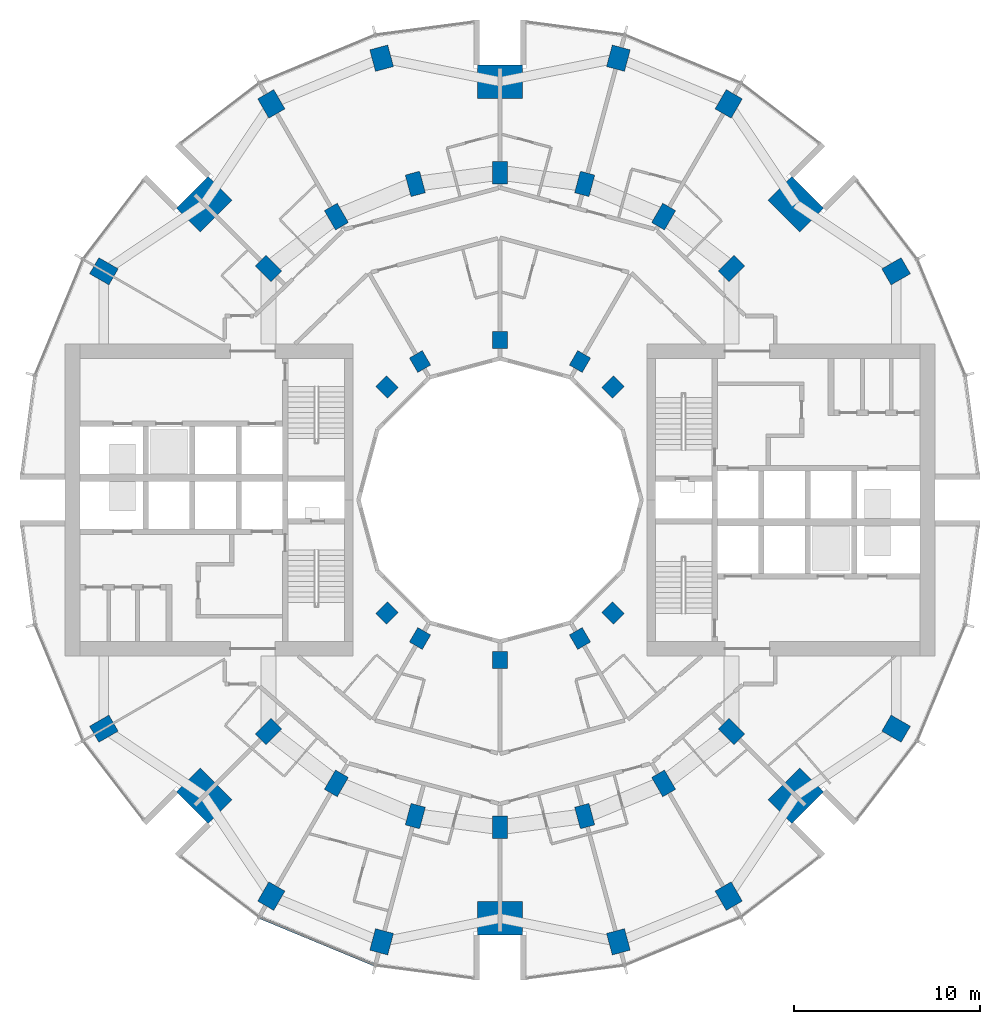
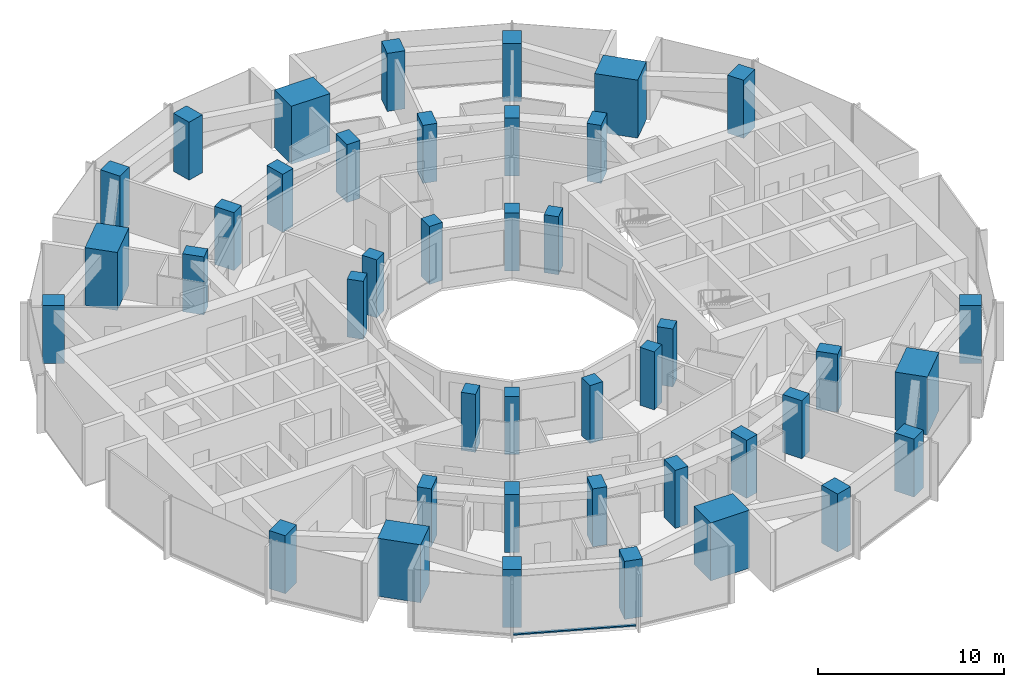
# One storey, part 1 of 15: 42 columns, 1 member, 1 element without a shape of its own.
"""IFC4 building model written with IfcOpenShell, lengths in metres."""

import ifcopenshell
import ifcopenshell.guid

model = None  # the IFC model being written
_history = None  # IfcOwnerHistory: only IFC2X3 demands one
_inside = {}  # id of a spatial element -> (the spatial element, [elements in it])
_under = {}  # id of a project, library or spatial element -> (it, [spatial elements below it])
_declared = {}  # id of a project -> (the project, [libraries it declares])
_typed = {}  # id of a type object -> (the type object, [elements of that type])
_made_of = {}  # id of a material, layer set ... -> (it, [elements and type objects made of it])


def new_model(schema):
    """Start an empty IFC model of exactly this schema.

    Asked for "IFC4X3", IfcOpenShell would pick the latest addendum, in which some entities
    have other attributes; the version numbers below select the first issue.
    IFC2X3 requires an IfcOwnerHistory on every rooted entity: one is made here for all.
    """
    global model, _history
    if schema == "IFC4X3":
        model = ifcopenshell.file(schema_version=(4, 3, 0, 0))
    else:
        model = ifcopenshell.file(schema=schema)
    _inside.clear()
    _under.clear()
    _declared.clear()
    _typed.clear()
    _made_of.clear()
    _history = None
    if model.schema == "IFC2X3":
        org = make("IfcOrganization", Name="unknown")
        user = make(
            "IfcPersonAndOrganization",
            ThePerson=make("IfcPerson", FamilyName="unknown"),
            TheOrganization=org,
        )
        app = make(
            "IfcApplication",
            ApplicationDeveloper=org,
            Version="unknown",
            ApplicationFullName="unknown",
            ApplicationIdentifier="unknown",
        )
        _history = make(
            "IfcOwnerHistory",
            OwningUser=user,
            OwningApplication=app,
            ChangeAction="ADDED",
            CreationDate=0,
        )
    return model


def make(cls, **values):
    """One entity of the class cls with the attributes given. An attribute that is None is left unset."""
    return model.create_entity(
        cls, **{name: value for name, value in values.items() if value is not None}
    )


def rooted(cls, **values):
    """An entity with a GlobalId (a new one), such as an element, a storey or a relation."""
    return make(cls, GlobalId=ifcopenshell.guid.new(), OwnerHistory=_history, **values)


def si_unit(unit_type, name, prefix=None):
    """IfcSIUnit, for example si_unit("LENGTHUNIT", "METRE", prefix="MILLI")."""
    return make("IfcSIUnit", UnitType=unit_type, Prefix=prefix, Name=name)


def assignment(units):
    """IfcUnitAssignment: the units of a project."""
    return None if units is None else make("IfcUnitAssignment", Units=units)


def point(xyz):
    """IfcCartesianPoint."""
    return None if xyz is None else make("IfcCartesianPoint", Coordinates=xyz)


def direction(xyz):
    """IfcDirection."""
    return None if xyz is None else make("IfcDirection", DirectionRatios=xyz)


def frame(location, z_axis=None, x_axis=None):
    """IfcAxis2Placement3D, a coordinate frame: its origin and axes. An axis left out is left unset."""
    return make(
        "IfcAxis2Placement3D",
        Location=point(location),
        Axis=direction(z_axis),
        RefDirection=direction(x_axis),
    )


def frame_2d(location, x_axis=None):
    """IfcAxis2Placement2D, a coordinate frame in the plane: its origin and x axis."""
    return make(
        "IfcAxis2Placement2D", Location=point(location), RefDirection=direction(x_axis)
    )


def origin():
    """The frame at (0, 0, 0) with its axes left unset."""
    return frame((0.0, 0.0, 0.0))


def origin_2d():
    """The frame at (0, 0) in the plane with its x axis left unset."""
    return frame_2d((0.0, 0.0))


def place(relative_to, where):
    """IfcLocalPlacement: puts the frame where relative to a parent placement (None: the world)."""
    return make(
        "IfcLocalPlacement", PlacementRelTo=relative_to, RelativePlacement=where
    )


def context(
    kind, dimensions, precision=None, world=None, true_north=None, identifier=None
):
    """IfcGeometricRepresentationContext, for example the 3D "Model" context."""
    return make(
        "IfcGeometricRepresentationContext",
        ContextIdentifier=identifier,
        ContextType=kind,
        CoordinateSpaceDimension=dimensions,
        Precision=precision,
        WorldCoordinateSystem=world,
        TrueNorth=true_north,
    )


def subcontext(parent, identifier, kind, view, scale=None):
    """IfcGeometricRepresentationSubContext, for example "Body" below "Model"."""
    return make(
        "IfcGeometricRepresentationSubContext",
        ContextIdentifier=identifier,
        ContextType=kind,
        ParentContext=parent,
        TargetScale=scale,
        TargetView=view,
    )


def project(units=None, contexts=None):
    """IfcProject with its units and contexts."""
    return rooted(
        "IfcProject",
        Name="project",
        RepresentationContexts=contexts,
        UnitsInContext=assignment(units),
    )


def spatial(cls, under=None, at=None, **own):
    """A site, building, storey or space (cls), placed at a placement, below another one or the project."""
    s = rooted(cls, ObjectPlacement=at, **own)
    if under is not None:
        _under.setdefault(under.id(), (under, []))[1].append(s)
    return s


def profile(cls, at=None, kind="AREA", **sizes):
    """A parametric profile (cls). Its sizes go by their IFC names, for example OverallWidth=200.0."""
    return make(cls, ProfileType=kind, Position=at, **sizes)


def rectangle(**sizes):
    """IfcRectangleProfileDef."""
    return profile("IfcRectangleProfileDef", **sizes)


def extrude(swept, where, along, depth):
    """IfcExtrudedAreaSolid: the profile swept, set in the frame where, extruded along a direction by depth."""
    return make(
        "IfcExtrudedAreaSolid",
        SweptArea=swept,
        Position=where,
        ExtrudedDirection=direction(along),
        Depth=depth,
    )


def shape(context_of_items, identifier, shape_type, items):
    """IfcShapeRepresentation: the items that make up one representation, for example the "Body"."""
    return make(
        "IfcShapeRepresentation",
        ContextOfItems=context_of_items,
        RepresentationIdentifier=identifier,
        RepresentationType=shape_type,
        Items=items,
    )


def material(Name=None, Category=None):
    """IfcMaterial."""
    return make("IfcMaterial", Name=Name, Category=Category)


def layer(
    of_material, thickness, ventilated=None, Name=None, Category=None, Priority=None
):
    """IfcMaterialLayer: one layer of a wall or slab, of a material (None: an air gap)."""
    return make(
        "IfcMaterialLayer",
        Material=of_material,
        LayerThickness=thickness,
        IsVentilated=ventilated,
        Name=Name,
        Category=Category,
        Priority=Priority,
    )


def layer_set(layers, Name=None):
    """IfcMaterialLayerSet."""
    return make("IfcMaterialLayerSet", MaterialLayers=layers, LayerSetName=Name)


def material_profile(
    of_material, cross_section, Name=None, Category=None, Priority=None
):
    """IfcMaterialProfile: a cross section and its material."""
    return make(
        "IfcMaterialProfile",
        Name=Name,
        Material=of_material,
        Profile=cross_section,
        Priority=Priority,
        Category=Category,
    )


def profile_set(profiles, Name=None, composite=None):
    """IfcMaterialProfileSet."""
    return make(
        "IfcMaterialProfileSet",
        Name=Name,
        MaterialProfiles=profiles,
        CompositeProfile=composite,
    )


def made_of(thing, what):
    """Note that an element or type object is made of a material, layer set ...; save() writes the relation."""
    if what is not None:
        _made_of.setdefault(what.id(), (what, []))[1].append(thing)
    return thing


def type_object(cls, material=None, **own):
    """A type object (cls), such as IfcWallType, which elements share."""
    return made_of(rooted(cls, **own), material)


def element(
    cls,
    number,
    at=None,
    inside=None,
    cuts=None,
    type_object=None,
    material=None,
    context=None,
    identifier="Body",
    shape_type=None,
    held_by="IfcProductDefinitionShape",
    body=None,
    shapes=None,
    **own,
):
    """One element of the class cls, such as IfcWall. Its Tag is "e" and its number.

    at: its placement. inside: the storey or other place that contains it. cuts: it is an
    opening in that element (IfcRelVoidsElement). A single representation is given by context,
    identifier, shape_type and body (its items); several are given by shapes. held_by: the class
    of the entity that holds the representations. save() writes the other relations.
    """
    e = rooted(cls, Tag="e%d" % number, ObjectPlacement=at, **own)
    if body is not None:
        shapes = [shape(context, identifier, shape_type, body)]
    if shapes is not None:
        e.Representation = make(held_by, Representations=shapes)
    if inside is not None:
        _inside.setdefault(inside.id(), (inside, []))[1].append(e)
    if cuts is not None:
        rooted(
            "IfcRelVoidsElement", RelatingBuildingElement=cuts, RelatedOpeningElement=e
        )
    if type_object is not None:
        _typed.setdefault(type_object.id(), (type_object, []))[1].append(e)
    return made_of(e, material)


def aggregate(whole, parts):
    """IfcRelAggregates: a whole, such as a stair, and the parts it consists of."""
    return rooted("IfcRelAggregates", RelatingObject=whole, RelatedObjects=parts)


def save(model, path):
    """Write the relations noted so far, then the file.

    IfcRelAggregates (storeys below a building ...), IfcRelContainedInSpatialStructure (elements
    in a storey), IfcRelDefinesByType, IfcRelAssociatesMaterial and IfcRelDeclares: one each for
    every whole, place, type object, material and project.
    """
    for whole, parts in _under.values():
        aggregate(whole, parts)
    for where, things in _inside.values():
        rooted(
            "IfcRelContainedInSpatialStructure",
            RelatedElements=things,
            RelatingStructure=where,
        )
    for kind, things in _typed.values():
        rooted("IfcRelDefinesByType", RelatedObjects=things, RelatingType=kind)
    for what, things in _made_of.values():
        rooted("IfcRelAssociatesMaterial", RelatedObjects=things, RelatingMaterial=what)
    for by, libraries in _declared.values():
        rooted("IfcRelDeclares", RelatingContext=by, RelatedDefinitions=libraries)
    model.write(path)


model = new_model("IFC4")

# Units and contexts
model_context = context("Model", 3, precision=1e-05, world=origin(), true_north=direction((0.0, 1.0)))
body_context = subcontext(model_context, "Body", "Model", "MODEL_VIEW")
ifc_project = project(units=[si_unit("LENGTHUNIT", "METRE"), si_unit("AREAUNIT", "SQUARE_METRE"), si_unit("VOLUMEUNIT", "CUBIC_METRE"), si_unit("PLANEANGLEUNIT", "RADIAN"), si_unit("MASSUNIT", "GRAM", prefix="KILO")], contexts=[model_context])

# Site, building, storey
site_placement = place(None, origin())
site = spatial("IfcSite", under=ifc_project, at=site_placement, CompositionType="ELEMENT")
building_placement = place(site_placement, origin())
building = spatial("IfcBuilding", under=site, at=building_placement, Name="Torre Brocal", CompositionType="ELEMENT")
storey_placement = place(building_placement, frame((0.0, 0.0, 51.60009765625)))
storey = spatial("IfcBuildingStorey", under=building, at=storey_placement, Name="L11", CompositionType="ELEMENT", Elevation=51.60009765625)

# Columns
ifc_material_1 = material(Name="Concrete C80", Category="concrete")
ifc_material_profile_1 = material_profile(ifc_material_1, rectangle(XDim=1.199951171875, YDim=1.0, at=origin_2d()), Name="RC 1200X1000")
ifc_profile_set_1 = profile_set([ifc_material_profile_1], Name="Concrete C80")
column_type_1 = type_object("IfcColumnType", Name="RC COLUMN 1200X1000 C80", PredefinedType="COLUMN", material=ifc_profile_set_1)
for number, where, z_axis, x_axis, name in (
    (1, (101.30419921875, 87.300048828125, 0.0), (0.0, 0.0, 1.0), (0.866025403784, 0.5, 0.0), "Column C-O02"),
    (2, (92.300048828125, 96.30419921875, 0.0), (0.0, 0.0, 1.0), (0.5, 0.866025403784, 0.0), "Column C-O04"),
    (3, (86.366943359375, 98.76171875, 0.0), (0.0, 0.0, 1.0), (0.258819045103, 0.965925826289, 0.0), "Column C-O05"),
    (4, (73.633056640625, 98.76171875, 0.0), (0.0, 0.0, 1.0), (-0.258819045103, 0.965925826289, 0.0), "Column C-O07"),
    (5, (67.699951171875, 96.30419921875, 0.0), (0.0, 0.0, 1.0), (-0.5, 0.866025403784, 0.0), "Column C-O08"),
    (6, (58.69580078125, 87.300048828125, 0.0), (0.0, 0.0, 1.0), (-0.866025403784, 0.5, 0.0), "Column C-O10"),
    (7, (58.69580078125, 62.699951171875, 0.0), (0.0, 0.0, 1.0), (-0.866025403784, -0.5, 0.0), "Column C-O14"),
    (8, (67.699951171875, 53.69580078125, 0.0), (0.0, 0.0, 1.0), (-0.5, -0.866025403784, 0.0), "Column C-O16"),
    (9, (73.633056640625, 51.23828125, 0.0), (0.0, 0.0, 1.0), (-0.258819045103, -0.965925826289, 0.0), "Column C-O17"),
    (10, (86.366943359375, 51.23828125, 0.0), (0.0, 0.0, 1.0), (0.258819045103, -0.965925826289, 0.0), "Column C-O19"),
    (11, (92.300048828125, 53.69580078125, 0.0), (0.0, 0.0, 1.0), (0.5, -0.866025403784, 0.0), "Column C-O20"),
    (12, (101.30419921875, 62.699951171875, 0.0), (0.0, 0.0, 1.0), (0.866025403784, -0.5, 0.0), "Column C-O22"),
):
    element("IfcColumn", number, at=place(storey_placement, frame(where, z_axis=z_axis, x_axis=x_axis)), inside=storey, type_object=column_type_1, Name=name, PredefinedType="COLUMN", context=body_context, shape_type="SweptSolid", body=[
        extrude(rectangle(XDim=1.199951171875, YDim=1.0, at=origin_2d()), origin(), (0.0, 0.0, 1.0), 3.7998046875),
    ])
ifc_material_2 = material(Name="Concrete C80", Category="concrete")
ifc_material_profile_2 = material_profile(ifc_material_2, rectangle(XDim=1.199951171875, YDim=0.800048828125, at=origin_2d()), Name="RC 1200X800")
ifc_profile_set_2 = profile_set([ifc_material_profile_2], Name="Concrete C80")
column_type_2 = type_object("IfcColumnType", Name="RC COLUMN 1200X800 C80", PredefinedType="COLUMN", material=ifc_profile_set_2)
for number, where, z_axis, x_axis, name in (
    (13, (92.445068359375, 87.445068359375, 0.0), (0.0, 0.0, 1.0), (0.707106781187, 0.707106781187, 0.0), "Column C-M03"),
    (14, (88.800048828125, 90.241943359375, 0.0), (0.0, 0.0, 1.0), (0.5, 0.866025403784, 0.0), "Column C-M04"),
    (15, (84.55517578125, 92.000244140625, 0.0), (0.0, 0.0, 1.0), (0.258819045103, 0.965925826289, 0.0), "Column C-M05"),
    (16, (80.0, 92.60009765625, 0.0), (0.0, 0.0, 1.0), (0.0, 1.0, 0.0), "Column C-M06"),
    (17, (75.44482421875, 92.000244140625, 0.0), (0.0, 0.0, 1.0), (-0.258819045103, 0.965925826289, 0.0), "Column C-M07"),
    (18, (71.199951171875, 90.241943359375, 0.0), (0.0, 0.0, 1.0), (-0.5, 0.866025403784, 0.0), "Column C-M08"),
    (19, (67.554931640625, 87.445068359375, 0.0), (0.0, 0.0, 1.0), (-0.707106781187, 0.707106781187, 0.0), "Column C-M09"),
    (20, (67.554931640625, 62.554931640625, 0.0), (0.0, 0.0, 1.0), (-0.707106781187, -0.707106781187, 0.0), "Column C-M15"),
    (21, (71.199951171875, 59.758056640625, 0.0), (0.0, 0.0, 1.0), (-0.5, -0.866025403784, 0.0), "Column C-M16"),
    (22, (75.44482421875, 57.999755859375, 0.0), (0.0, 0.0, 1.0), (-0.258819045103, -0.965925826289, 0.0), "Column C-M17"),
    (23, (80.0, 57.39990234375, 0.0), (0.0, 0.0, 1.0), (0.0, -1.0, 0.0), "Column C-M18"),
    (24, (84.55517578125, 57.999755859375, 0.0), (0.0, 0.0, 1.0), (0.258819045103, -0.965925826289, 0.0), "Column C-M19"),
    (25, (88.800048828125, 59.758056640625, 0.0), (0.0, 0.0, 1.0), (0.5, -0.866025403784, 0.0), "Column C-M20"),
    (26, (92.445068359375, 62.554931640625, 0.0), (0.0, 0.0, 1.0), (0.707106781187, -0.707106781187, 0.0), "Column C-M21"),
):
    element("IfcColumn", number, at=place(storey_placement, frame(where, z_axis=z_axis, x_axis=x_axis)), inside=storey, type_object=column_type_2, Name=name, PredefinedType="COLUMN", context=body_context, shape_type="SweptSolid", body=[
        extrude(rectangle(XDim=1.199951171875, YDim=0.800048828125, at=origin_2d()), origin(), (0.0, 0.0, 1.0), 3.7998046875),
    ])
ifc_material_3 = material(Name="Concrete C80", Category="concrete")
ifc_material_profile_3 = material_profile(ifc_material_3, rectangle(XDim=1.800048828125, YDim=2.39990234375, at=origin_2d()), Name="RC 1800X2400")
ifc_profile_set_3 = profile_set([ifc_material_profile_3], Name="Concrete C80")
column_type_3 = type_object("IfcColumnType", Name="RC COLUMN 1800X2400 C80", PredefinedType="COLUMN", material=ifc_profile_set_3)
for number, where, z_axis, x_axis, name in (
    (27, (95.909912109375, 90.909912109375, 0.0), (0.0, 0.0, 1.0), (0.707106781187, 0.707106781187, 0.0), "Column MC-1"),
    (28, (80.0, 97.5, 0.0), (0.0, 0.0, 1.0), (0.0, 1.0, 0.0), "Column MC-2"),
    (29, (64.090087890625, 90.909912109375, 0.0), (0.0, 0.0, 1.0), (-0.707106781187, 0.707106781187, 0.0), "Column MC-3"),
    (30, (64.090087890625, 59.090087890625, 0.0), (0.0, 0.0, 1.0), (-0.707106781187, -0.707106781187, 0.0), "Column MC-5"),
    (31, (80.0, 52.5, 0.0), (0.0, 0.0, 1.0), (0.0, -1.0, 0.0), "Column MC-6"),
    (32, (95.909912109375, 59.090087890625, 0.0), (0.0, 0.0, 1.0), (0.707106781187, -0.707106781187, 0.0), "Column MC-7"),
):
    element("IfcColumn", number, at=place(storey_placement, frame(where, z_axis=z_axis, x_axis=x_axis)), inside=storey, type_object=column_type_3, Name=name, PredefinedType="COLUMN", context=body_context, shape_type="SweptSolid", body=[
        extrude(rectangle(XDim=1.800048828125, YDim=2.39990234375, at=origin_2d()), origin(), (0.0, 0.0, 1.0), 3.7998046875),
    ])
ifc_material_4 = material(Name="Concrete C80", Category="concrete")
ifc_material_profile_4 = material_profile(ifc_material_4, rectangle(XDim=0.89990234375, YDim=0.800048828125, at=origin_2d()), Name="RC 900X800")
ifc_profile_set_4 = profile_set([ifc_material_profile_4], Name="Concrete C80")
column_type_4 = type_object("IfcColumnType", Name="RC COLUMN 900X800 C80", PredefinedType="COLUMN", material=ifc_profile_set_4)
for number, where, z_axis, x_axis, name in (
    (33, (86.0810546875, 81.0810546875, 0.0), (0.0, 0.0, 1.0), (0.707106781187, 0.707106781187, 0.0), "Column C-I03"),
    (34, (84.300048828125, 82.44775390625, 0.0), (0.0, 0.0, 1.0), (0.5, 0.866025403784, 0.0), "Column C-I04"),
    (35, (80.0, 83.60009765625, 0.0), (0.0, 0.0, 1.0), (0.0, 1.0, 0.0), "Column C-I06"),
    (36, (75.699951171875, 82.44775390625, 0.0), (0.0, 0.0, 1.0), (-0.5, 0.866025403784, 0.0), "Column C-I08"),
    (37, (73.9189453125, 81.0810546875, 0.0), (0.0, 0.0, 1.0), (-0.707106781187, 0.707106781187, 0.0), "Column C-I09"),
    (38, (73.9189453125, 68.9189453125, 0.0), (0.0, 0.0, 1.0), (-0.707106781187, -0.707106781187, 0.0), "Column C-I15"),
    (39, (75.699951171875, 67.55224609375, 0.0), (0.0, 0.0, 1.0), (-0.5, -0.866025403784, 0.0), "Column C-I16"),
    (40, (80.0, 66.39990234375, 0.0), (0.0, 0.0, 1.0), (0.0, -1.0, 0.0), "Column C-I18"),
    (41, (84.300048828125, 67.55224609375, 0.0), (0.0, 0.0, 1.0), (0.5, -0.866025403784, 0.0), "Column C-I20"),
    (42, (86.0810546875, 68.9189453125, 0.0), (0.0, 0.0, 1.0), (0.707106781187, -0.707106781187, 0.0), "Column C-I21"),
):
    element("IfcColumn", number, at=place(storey_placement, frame(where, z_axis=z_axis, x_axis=x_axis)), inside=storey, type_object=column_type_4, Name=name, PredefinedType="COLUMN", context=body_context, shape_type="SweptSolid", body=[
        extrude(rectangle(XDim=0.89990234375, YDim=0.800048828125, at=origin_2d()), origin(), (0.0, 0.0, 1.0), 3.7998046875),
    ])

# Curtain wall, member
ifc_material_5 = material(Name="Aluminium and glass", Category="aluminium")
ifc_layer = layer(ifc_material_5, 0.199951171875)
ifc_layer_set = layer_set([ifc_layer], Name="Aluminium and glass")
curtain_wall_type = type_object("IfcCurtainWallType", Name="CW-1 CURTAIN WALL 3800 HIGH", PredefinedType="NOTDEFINED", material=ifc_layer_set)
curtain_wall_placement = place(storey_placement, origin())
curtain_wall = element("IfcCurtainWall", 43, at=curtain_wall_placement, inside=storey, type_object=curtain_wall_type, Name="CW-1 RUN 17", PredefinedType="NOTDEFINED")
ifc_material_6 = material(Name="Aluminium, dark anodised", Category="aluminium")
ifc_material_profile_5 = material_profile(ifc_material_6, rectangle(XDim=0.159912109375, YDim=0.080078125, at=origin_2d()), Name="CW-1 TRANSOM 160X80")
ifc_profile_set_5 = profile_set([ifc_material_profile_5], Name="Aluminium, dark anodised")
member_type = type_object("IfcMemberType", Name="CW-1 TRANSOM 160X80", PredefinedType="USERDEFINED", material=ifc_profile_set_5)
member_placement = place(storey_placement, frame((67.10595703125, 52.547607421875, 0.039794921875), z_axis=(0.923887344364, -0.38266457234, 0.0), x_axis=(0.38266457234, 0.923887344364, 0.0)))
member = element("IfcMember", 44, at=member_placement, type_object=member_type, Name="CW1-1 transom 1.1", ObjectType="TRANSOM", PredefinedType="USERDEFINED", context=body_context, shape_type="SweptSolid", body=[
    extrude(rectangle(XDim=0.159912109375, YDim=0.080078125, at=origin_2d()), origin(), (0.0, 0.0, 1.0), 6.640869140625),
])
aggregate(curtain_wall, [member])

save(model, "model.ifc")
